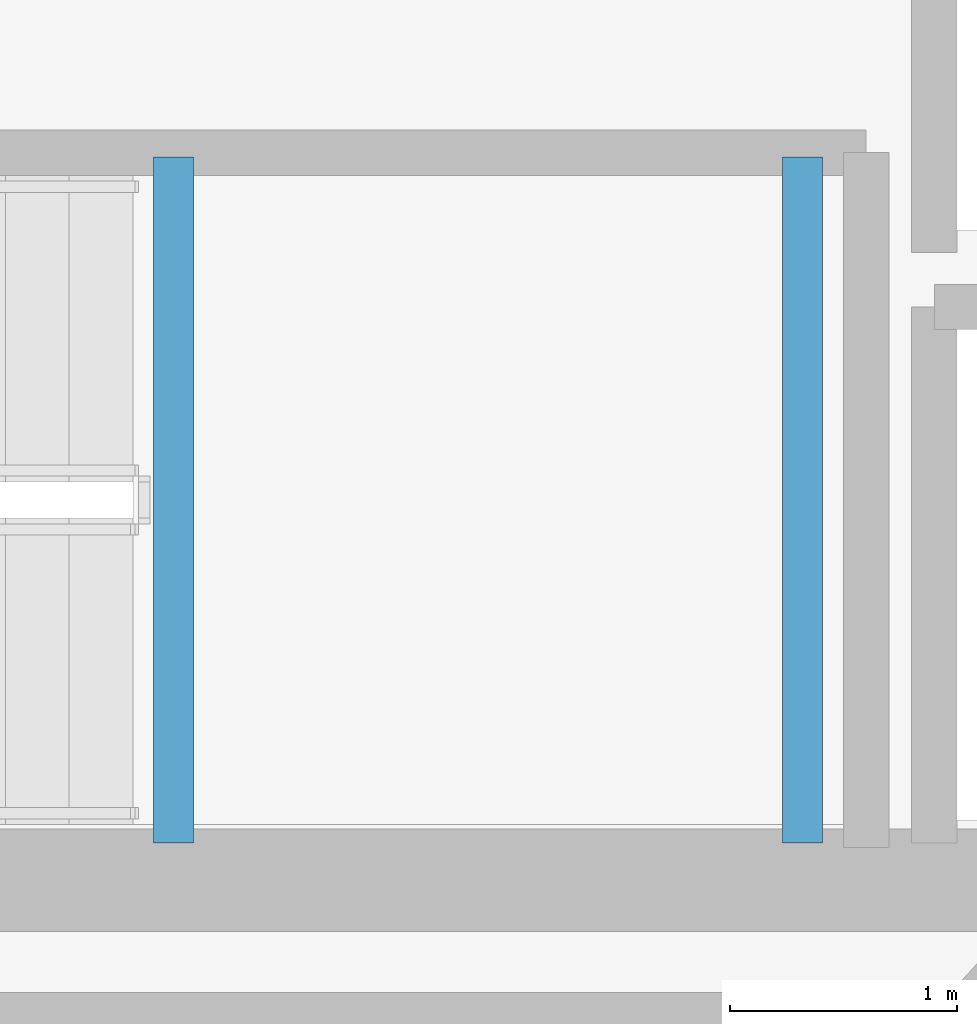
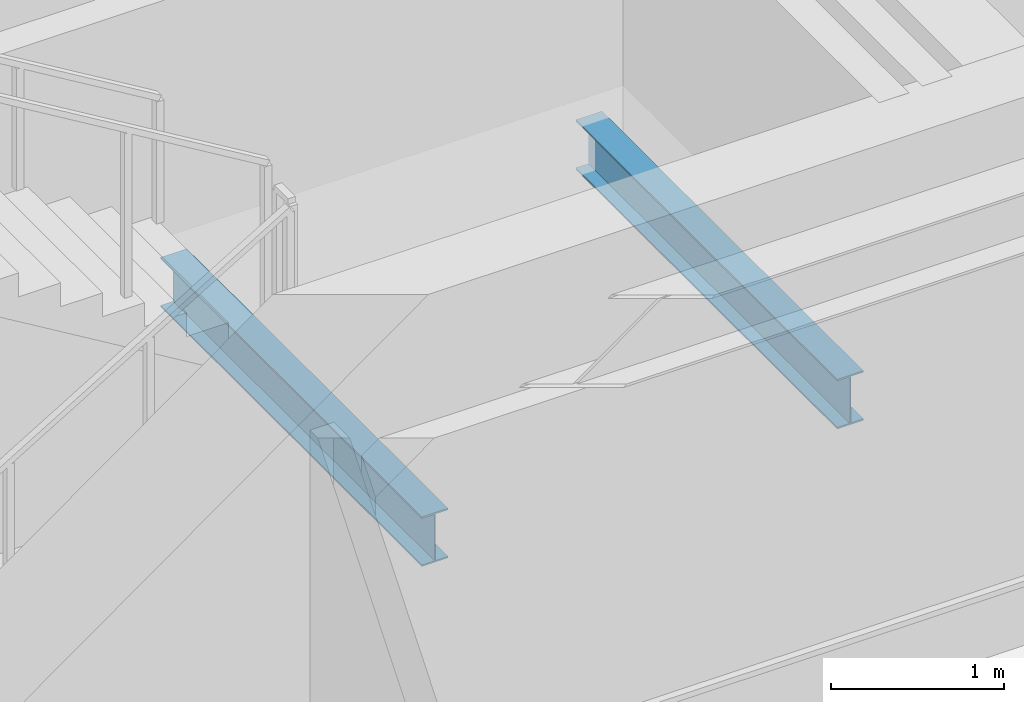
# One storey, part 13 of 25: 2 beams.
"""IFC4 building model written with IfcOpenShell, lengths in metres."""

from ifc_helpers import new_model, si_unit, direction, frame, origin, origin_2d, place, context, subcontext, project, spatial, i_section, extrude, material, material_profile, profile_set, type_object, element, save


model = new_model("IFC4")

# Units and contexts
model_context = context("Model", 3, precision=1e-05, world=origin(), true_north=direction((0.0, 1.0)))
body_context = subcontext(model_context, "Body", "Model", "MODEL_VIEW")
ifc_project = project(units=[si_unit("LENGTHUNIT", "METRE"), si_unit("AREAUNIT", "SQUARE_METRE"), si_unit("VOLUMEUNIT", "CUBIC_METRE"), si_unit("PLANEANGLEUNIT", "RADIAN"), si_unit("MASSUNIT", "GRAM", prefix="KILO")], contexts=[model_context])

# Site, building, storey
site_placement = place(None, origin())
site = spatial("IfcSite", under=ifc_project, at=site_placement, CompositionType="ELEMENT")
building_placement = place(site_placement, origin())
building = spatial("IfcBuilding", under=site, at=building_placement, Name="Qianvela Tower", CompositionType="ELEMENT")
storey_placement = place(building_placement, frame((0.0, 0.0, 295.39990234375)))
storey = spatial("IfcBuildingStorey", under=building, at=storey_placement, Name="L76", CompositionType="ELEMENT", Elevation=295.39990234375)

# Beams
ifc_material = material(Name="Steel Q355B", Category="steel")
ifc_material_profile = material_profile(ifc_material, i_section(OverallWidth=0.175048828125, OverallDepth=0.35009765625, WebThickness=0.007080078125, FlangeThickness=0.010986328125, at=origin_2d()), Name="HN350x175x7x11")
ifc_profile_set = profile_set([ifc_material_profile], Name="Steel Q355B")
beam_type = type_object("IfcBeamType", Name="BM-HN350-JOIST", PredefinedType="JOIST", material=ifc_profile_set)
for number, where, z_axis, x_axis, name in (
    (1, (34.39990234375, 24.919921875, 1.47509765625), (0.0, 1.0, 0.0), (-1.0, 0.0, 0.0), "L76 Stair ST-2 Landing Support Beam 1.1"),
    (2, (37.169921875, 24.919921875, 1.47509765625), (0.0, 1.0, 0.0), (-1.0, 0.0, 0.0), "L76 Stair ST-2 Landing Support Beam 1.2"),
):
    element("IfcBeam", number, at=place(storey_placement, frame(where, z_axis=z_axis, x_axis=x_axis)), inside=storey, type_object=beam_type, Name=name, PredefinedType="JOIST", context=body_context, shape_type="SweptSolid", body=[
        extrude(i_section(OverallWidth=0.175048828125, OverallDepth=0.35009765625, WebThickness=0.007080078125, FlangeThickness=0.010986328125, at=origin_2d()), origin(), (0.0, 0.0, 1.0), 3.02001953125),
    ])

save(model, "model.ifc")
